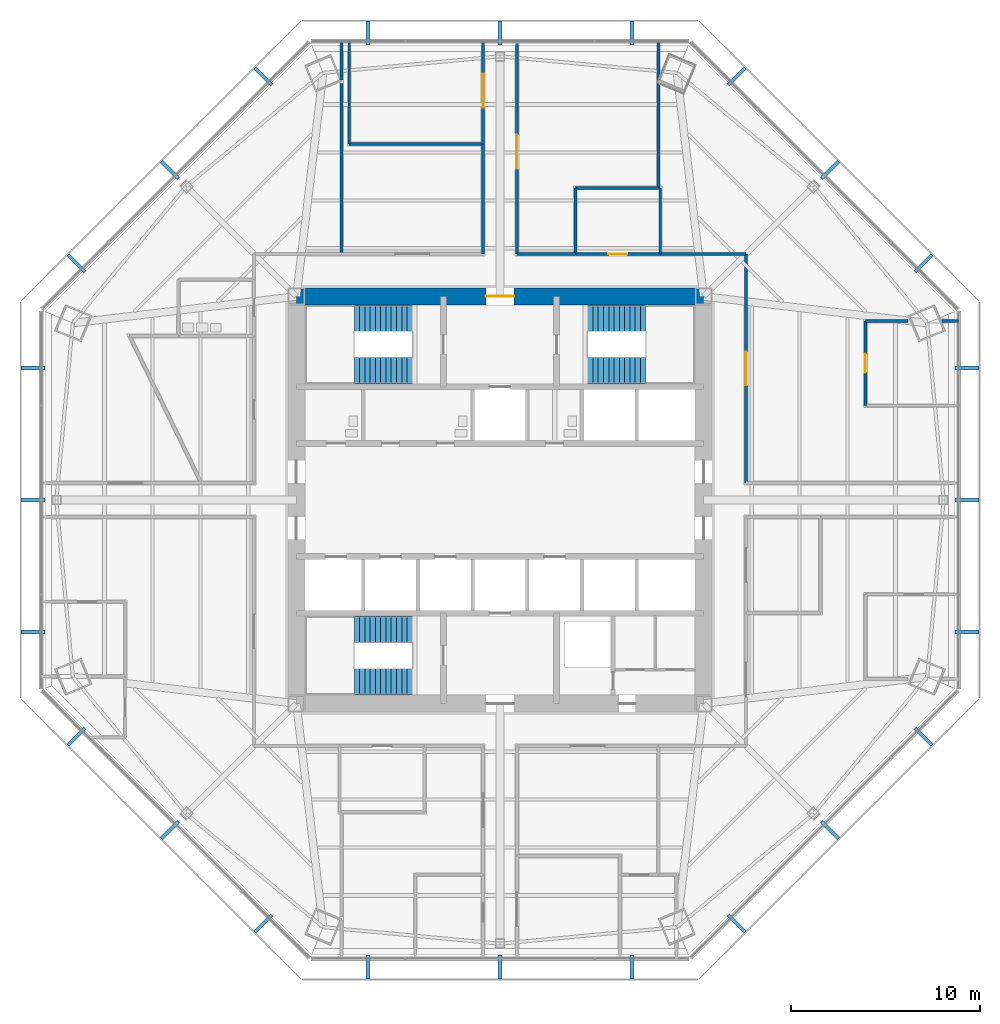
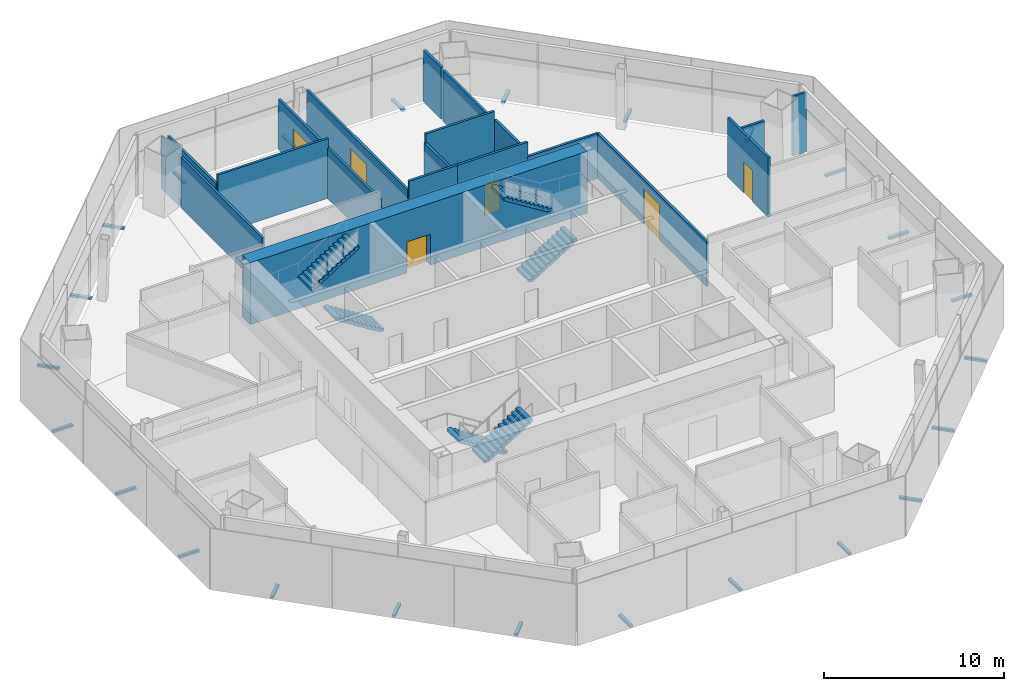
# One storey, part 11 of 14: 24 discrete accessories, 20 walls, 6 doors, 6 stair flights, 6 openings, 3 elements without a shape of their own.
"""IFC4 building model written with IfcOpenShell, lengths in metres."""

from ifc_helpers import new_model, si_unit, direction, frame, frame_2d, origin, origin_2d, place, context, subcontext, project, spatial, polyline, rectangle, outline, extrude, source, transform, mapped, material, layer, layer_set, type_object, type_shapes, element, fill, aggregate, save


model = new_model("IFC4")

# Units and contexts
model_context = context("Model", 3, precision=1e-05, world=origin(), true_north=direction((0.0, 1.0)))
body_context = subcontext(model_context, "Body", "Model", "MODEL_VIEW")
ifc_project = project(units=[si_unit("LENGTHUNIT", "METRE"), si_unit("AREAUNIT", "SQUARE_METRE"), si_unit("VOLUMEUNIT", "CUBIC_METRE"), si_unit("PLANEANGLEUNIT", "RADIAN"), si_unit("MASSUNIT", "GRAM", prefix="KILO")], contexts=[model_context])

# Site, building, storey
site_placement = place(None, origin())
site = spatial("IfcSite", under=ifc_project, at=site_placement, CompositionType="ELEMENT")
building_placement = place(site_placement, origin())
building = spatial("IfcBuilding", under=site, at=building_placement, Name="Mashrafa Tower", CompositionType="ELEMENT")
storey_placement = place(building_placement, frame((0.0, 0.0, 130.199951171875)))
storey = spatial("IfcBuildingStorey", under=building, at=storey_placement, Name="L29", CompositionType="ELEMENT", Elevation=130.199951171875)

# Wall, opening, door
ifc_material_1 = material(Name="Concrete C60/75", Category="concrete")
ifc_layer_1 = layer(ifc_material_1, 0.89990234375)
ifc_layer_set_1 = layer_set([ifc_layer_1], Name="Core wall 900 C60/75")
wall_type_1 = type_object("IfcWallType", Name="Core wall 900 C60/75", PredefinedType="SOLIDWALL", material=ifc_layer_set_1)
wall_1_placement = place(storey_placement, frame((10.800048828125, 10.800048828125, 0.0), z_axis=(0.0, 0.0, 1.0), x_axis=(-1.0, 0.0, 0.0)))
wall_1 = element("IfcWall", 1, at=wall_1_placement, inside=storey, type_object=wall_type_1, Name="Core wall CW-N L29", PredefinedType="SOLIDWALL", context=body_context, shape_type="SweptSolid", body=[
    extrude(rectangle(XDim=21.60009765625, YDim=0.89990234375, at=frame_2d((10.800048828125, 0.0))), origin(), (0.0, 0.0, 1.0), 4.199951171875),
])
opening_1_placement = place(wall_1_placement, frame((10.050048828125, 0.0, 0.0)))
opening_1 = element("IfcOpeningElement", 2, at=opening_1_placement, cuts=wall_1, Name="Opening 29.026", PredefinedType="OPENING", context=body_context, shape_type="SweptSolid", body=[
    extrude(rectangle(XDim=1.5, YDim=2.10009765625, at=frame_2d((0.75, 1.050048828125))), frame((0.0, 0.4599609375, 0.0), z_axis=(0.0, -1.0, 0.0), x_axis=(1.0, 0.0, 0.0)), (0.0, 0.0, 1.0), 0.919921875),
])
ifc_material_2 = material(Name="Steel door", Category="steel")
door_type_1 = type_object("IfcDoorType", Name="Lobby door pair 1500 x 2100 90 min", OperationType="DOUBLE_DOOR_SINGLE_SWING", PredefinedType="DOOR", material=ifc_material_2)
door_1_placement = place(opening_1_placement, origin())
door_1 = element("IfcDoor", 3, at=door_1_placement, inside=storey, type_object=door_type_1, Name="Fire-fighting lobby F1 door L29", OperationType="DOUBLE_DOOR_SINGLE_SWING", OverallHeight=2.10009765625, OverallWidth=1.5, PredefinedType="DOOR", context=body_context, shape_type="SweptSolid", body=[
    extrude(rectangle(XDim=1.5, YDim=2.10009765625, at=frame_2d((0.75, 1.050048828125))), frame((0.0, 0.02490234375, 0.0), z_axis=(0.0, -1.0, 0.0), x_axis=(1.0, 0.0, 0.0)), (0.0, 0.0, 1.0), 0.050048828125),
])
fill(opening_1, door_1)

ifc_material_3 = material(Name="Gypsum board on steel studs", Category="steel")
ifc_layer_2 = layer(ifc_material_3, 0.14990234375)
ifc_layer_set_2 = layer_set([ifc_layer_2], Name="Corridor partition 150 1 hr")
wall_type_2 = type_object("IfcWallType", Name="Corridor partition 150 1 hr", PredefinedType="PARTITIONING", material=ifc_layer_set_2)
wall_2_placement = place(storey_placement, frame((-0.89990234375, 24.3154296875, 0.0), z_axis=(0.0, 0.0, 1.0), x_axis=(0.0, -1.0, 0.0)))
wall_2 = element("IfcWall", 4, at=wall_2_placement, inside=storey, type_object=wall_type_2, Name="Corridor wall L29-004", PredefinedType="PARTITIONING", context=body_context, shape_type="SweptSolid", body=[
    extrude(rectangle(XDim=5.434814453125, YDim=0.14990234375, at=frame_2d((2.71728515625, 0.0))), origin(), (0.0, 0.0, 1.0), 3.425537109375),
])
opening_2_placement = place(wall_2_placement, frame((1.699462890625, 0.0, 0.0)))
opening_2 = element("IfcOpeningElement", 5, at=opening_2_placement, cuts=wall_2, Name="Opening 29.003", PredefinedType="OPENING", context=body_context, shape_type="SweptSolid", body=[
    extrude(rectangle(XDim=1.800048828125, YDim=2.39990234375, at=frame_2d((0.89990234375, 1.199951171875))), frame((0.0, 0.0849609375, 0.0), z_axis=(0.0, -1.0, 0.0), x_axis=(1.0, 0.0, 0.0)), (0.0, 0.0, 1.0), 0.169921875),
])
ifc_material_4 = material(Name="Timber door", Category="wood")
door_type_2 = type_object("IfcDoorType", Name="Door pair 1800 x 2400", OperationType="DOUBLE_DOOR_SINGLE_SWING", PredefinedType="DOOR", material=ifc_material_4)
door_2_placement = place(opening_2_placement, frame((1.800048828125, 0.0, 0.0), z_axis=(0.0, 0.0, 1.0), x_axis=(-1.0, 0.0, 0.0)))
door_2 = element("IfcDoor", 6, at=door_2_placement, inside=storey, type_object=door_type_2, Name="Board Room 29-N door", OperationType="DOUBLE_DOOR_SINGLE_SWING", OverallHeight=2.39990234375, OverallWidth=1.800048828125, PredefinedType="DOOR", context=body_context, shape_type="SweptSolid", body=[
    extrude(rectangle(XDim=1.800048828125, YDim=2.39990234375, at=frame_2d((0.89990234375, 1.199951171875))), frame((0.0, 0.02490234375, 0.0), z_axis=(0.0, -1.0, 0.0), x_axis=(1.0, 0.0, 0.0)), (0.0, 0.0, 1.0), 0.050048828125),
])
fill(opening_2, door_2)

wall_3_placement = place(storey_placement, frame((8.5009765625, 13.050048828125, 0.0), z_axis=(0.0, 0.0, 1.0), x_axis=(-1.0, 0.0, 0.0)))
wall_3 = element("IfcWall", 7, at=wall_3_placement, inside=storey, type_object=wall_type_2, Name="Corridor wall L29-005", PredefinedType="PARTITIONING", context=body_context, shape_type="SweptSolid", body=[
    extrude(rectangle(XDim=4.501953125, YDim=0.14990234375, at=frame_2d((2.2509765625, 0.0))), origin(), (0.0, 0.0, 1.0), 4.03515625),
])
opening_3_placement = place(wall_3_placement, frame((1.7509765625, 0.0, 0.0)))
opening_3 = element("IfcOpeningElement", 8, at=opening_3_placement, cuts=wall_3, Name="Opening 29.004", PredefinedType="OPENING", context=body_context, shape_type="SweptSolid", body=[
    extrude(rectangle(XDim=1.0, YDim=2.10009765625, at=frame_2d((0.5, 1.050048828125))), frame((0.0, 0.0849609375, 0.0), z_axis=(0.0, -1.0, 0.0), x_axis=(1.0, 0.0, 0.0)), (0.0, 0.0, 1.0), 0.169921875),
])
ifc_material_5 = material(Name="Timber door", Category="wood")
door_type_3 = type_object("IfcDoorType", Name="Door 1000 x 2100", OperationType="USERDEFINED", PredefinedType="DOOR", material=ifc_material_5)
door_3_placement = place(opening_3_placement, frame((1.0, 0.0, 0.0), z_axis=(0.0, 0.0, 1.0), x_axis=(-1.0, 0.0, 0.0)))
door_3 = element("IfcDoor", 9, at=door_3_placement, inside=storey, type_object=door_type_3, Name="Pantry 29-N door", OperationType="SINGLE_SWING_RIGHT", OverallHeight=2.10009765625, OverallWidth=1.0, PredefinedType="DOOR", context=body_context, shape_type="SweptSolid", body=[
    extrude(rectangle(XDim=1.0, YDim=2.10009765625, at=frame_2d((0.5, 1.050048828125))), frame((0.0, 0.02490234375, 0.0), z_axis=(0.0, -1.0, 0.0), x_axis=(1.0, 0.0, 0.0)), (0.0, 0.0, 1.0), 0.050048828125),
])
fill(opening_3, door_3)

wall_4_placement = place(storey_placement, frame((13.050048828125, 0.89990234375, 0.0), z_axis=(0.0, 0.0, 1.0), x_axis=(0.0, 1.0, 0.0)))
wall_4 = element("IfcWall", 10, at=wall_4_placement, inside=storey, type_object=wall_type_2, Name="Corridor wall L29-012", PredefinedType="PARTITIONING", context=body_context, shape_type="SweptSolid", body=[
    extrude(rectangle(XDim=12.150146484375, YDim=0.14990234375, at=frame_2d((6.0751953125, 0.0))), origin(), (0.0, 0.0, 1.0), 3.0419921875),
])
opening_4_placement = place(wall_4_placement, frame((5.175048828125, 0.0, 0.0)))
opening_4 = element("IfcOpeningElement", 11, at=opening_4_placement, cuts=wall_4, Name="Opening 29.014", PredefinedType="OPENING", context=body_context, shape_type="SweptSolid", body=[
    extrude(rectangle(XDim=1.800048828125, YDim=2.39990234375, at=frame_2d((0.89990234375, 1.199951171875))), frame((0.0, 0.0849609375, 0.0), z_axis=(0.0, -1.0, 0.0), x_axis=(1.0, 0.0, 0.0)), (0.0, 0.0, 1.0), 0.169921875),
])
door_4_placement = place(opening_4_placement, frame((1.800048828125, 0.0, 0.0), z_axis=(0.0, 0.0, 1.0), x_axis=(-1.0, 0.0, 0.0)))
door_4 = element("IfcDoor", 12, at=door_4_placement, inside=storey, type_object=door_type_2, Name="Office Tenancy 29-N-NE1 door", OperationType="DOUBLE_DOOR_SINGLE_SWING", OverallHeight=2.39990234375, OverallWidth=1.800048828125, PredefinedType="DOOR", context=body_context, shape_type="SweptSolid", body=[
    extrude(rectangle(XDim=1.800048828125, YDim=2.39990234375, at=frame_2d((0.89990234375, 1.199951171875))), frame((0.0, 0.02490234375, 0.0), z_axis=(0.0, -1.0, 0.0), x_axis=(1.0, 0.0, 0.0)), (0.0, 0.0, 1.0), 0.050048828125),
])
fill(opening_4, door_4)

# Walls
wall_5_placement = place(storey_placement, frame((13.050048828125, 13.050048828125, 0.0), z_axis=(0.0, 0.0, 1.0), x_axis=(-1.0, 0.0, 0.0)))
element("IfcWall", 13, at=wall_5_placement, inside=storey, type_object=wall_type_2, Name="Corridor wall L29-013", PredefinedType="PARTITIONING", context=body_context, shape_type="SweptSolid", body=[
    extrude(rectangle(XDim=4.551025390625, YDim=0.14990234375, at=frame_2d((2.275390625, 0.0))), origin(), (0.0, 0.0, 1.0), 3.0419921875),
])
wall_6_placement = place(storey_placement, frame((4.0009765625, 13.050048828125, 0.0), z_axis=(0.0, 0.0, 1.0), x_axis=(-1.0, 0.0, 0.0)))
element("IfcWall", 14, at=wall_6_placement, inside=storey, type_object=wall_type_2, Name="Corridor wall L29-014", PredefinedType="PARTITIONING", context=body_context, shape_type="SweptSolid", body=[
    extrude(rectangle(XDim=3.10107421875, YDim=0.14990234375, at=frame_2d((1.550537109375, 0.0))), origin(), (0.0, 0.0, 1.0), 4.03515625),
])

# Wall, opening, door
wall_7_placement = place(storey_placement, frame((0.89990234375, 13.050048828125, 0.0), z_axis=(0.0, 0.0, 1.0), x_axis=(0.0, 1.0, 0.0)))
wall_7 = element("IfcWall", 15, at=wall_7_placement, inside=storey, type_object=wall_type_2, Name="Corridor wall L29-015", PredefinedType="PARTITIONING", context=body_context, shape_type="SweptSolid", body=[
    extrude(rectangle(XDim=11.265380859375, YDim=0.14990234375, at=frame_2d((5.6328125, 0.0))), origin(), (0.0, 0.0, 1.0), 3.425537109375),
])
opening_5_placement = place(wall_7_placement, frame((4.515869140625, 0.0, 0.0)))
opening_5 = element("IfcOpeningElement", 16, at=opening_5_placement, cuts=wall_7, Name="Opening 29.015", PredefinedType="OPENING", context=body_context, shape_type="SweptSolid", body=[
    extrude(rectangle(XDim=1.800048828125, YDim=2.39990234375, at=frame_2d((0.89990234375, 1.199951171875))), frame((0.0, 0.0849609375, 0.0), z_axis=(0.0, -1.0, 0.0), x_axis=(1.0, 0.0, 0.0)), (0.0, 0.0, 1.0), 0.169921875),
])
door_5_placement = place(opening_5_placement, frame((1.800048828125, 0.0, 0.0), z_axis=(0.0, 0.0, 1.0), x_axis=(-1.0, 0.0, 0.0)))
door_5 = element("IfcDoor", 17, at=door_5_placement, inside=storey, type_object=door_type_2, Name="Office Tenancy 29-N-NE2 door", OperationType="DOUBLE_DOOR_SINGLE_SWING", OverallHeight=2.39990234375, OverallWidth=1.800048828125, PredefinedType="DOOR", context=body_context, shape_type="SweptSolid", body=[
    extrude(rectangle(XDim=1.800048828125, YDim=2.39990234375, at=frame_2d((0.89990234375, 1.199951171875))), frame((0.0, 0.02490234375, 0.0), z_axis=(0.0, -1.0, 0.0), x_axis=(1.0, 0.0, 0.0)), (0.0, 0.0, 1.0), 0.050048828125),
])
fill(opening_5, door_5)

# Walls
wall_8_placement = place(storey_placement, frame((-0.89990234375, 18.882568359375, 0.0), z_axis=(0.0, 0.0, 1.0), x_axis=(0.0, -1.0, 0.0)))
element("IfcWall", 18, at=wall_8_placement, inside=storey, type_object=wall_type_2, Name="Corridor wall L29-019", PredefinedType="PARTITIONING", context=body_context, shape_type="SweptSolid", body=[
    extrude(rectangle(XDim=5.83251953125, YDim=0.14990234375, at=frame_2d((2.916259765625, 0.0))), origin(), (0.0, 0.0, 1.0), 3.425537109375),
])
ifc_material_6 = material(Name="Gypsum board on steel studs", Category="steel")
ifc_layer_3 = layer(ifc_material_6, 0.14990234375)
ifc_layer_set_3 = layer_set([ifc_layer_3], Name="Partition 150")
wall_type_3 = type_object("IfcWallType", Name="Partition 150", PredefinedType="PARTITIONING", material=ifc_layer_set_3)
wall_9_placement = place(storey_placement, frame((-8.0, 24.3134765625, 0.0), z_axis=(0.0, 0.0, 1.0), x_axis=(0.0, -1.0, 0.0)))
element("IfcWall", 19, at=wall_9_placement, inside=storey, type_object=wall_type_3, Name="Partition wall L29-036", PredefinedType="PARTITIONING", context=body_context, shape_type="SweptSolid", body=[
    extrude(rectangle(XDim=5.431884765625, YDim=0.14990234375, at=frame_2d((2.7158203125, 0.0))), origin(), (0.0, 0.0, 1.0), 3.425537109375),
])
wall_10_placement = place(storey_placement, frame((-8.0, 18.881591796875, 0.0), z_axis=(0.0, 0.0, 1.0), x_axis=(1.0, 0.0, 0.0)))
element("IfcWall", 20, at=wall_10_placement, inside=storey, type_object=wall_type_3, Name="Partition wall L29-037", PredefinedType="PARTITIONING", context=body_context, shape_type="SweptSolid", body=[
    extrude(rectangle(XDim=7.10009765625, YDim=0.14990234375, at=frame_2d((3.550048828125, 0.0))), origin(), (0.0, 0.0, 1.0), 4.03515625),
])
wall_11_placement = place(storey_placement, frame((8.5, 13.050048828125, 0.0), z_axis=(0.0, 0.0, 1.0), x_axis=(0.0, 1.0, 0.0)))
element("IfcWall", 21, at=wall_11_placement, inside=storey, type_object=wall_type_3, Name="Partition wall L29-038", PredefinedType="PARTITIONING", context=body_context, shape_type="SweptSolid", body=[
    extrude(rectangle(XDim=3.5, YDim=0.14990234375, at=frame_2d((1.75, 0.0))), origin(), (0.0, 0.0, 1.0), 3.425537109375),
])
wall_12_placement = place(storey_placement, frame((8.40087890625, 16.550048828125, 0.0), z_axis=(0.0, 0.0, 1.0), x_axis=(-1.0, 0.0, 0.0)))
element("IfcWall", 22, at=wall_12_placement, inside=storey, type_object=wall_type_3, Name="Partition wall L29-039", PredefinedType="PARTITIONING", context=body_context, shape_type="SweptSolid", body=[
    extrude(rectangle(XDim=4.40087890625, YDim=0.14990234375, at=frame_2d((2.200439453125, 0.0))), origin(), (0.0, 0.0, 1.0), 4.03515625),
])
wall_13_placement = place(storey_placement, frame((4.0, 16.550048828125, 0.0), z_axis=(0.0, 0.0, 1.0), x_axis=(0.0, -1.0, 0.0)))
element("IfcWall", 23, at=wall_13_placement, inside=storey, type_object=wall_type_3, Name="Partition wall L29-040", PredefinedType="PARTITIONING", context=body_context, shape_type="SweptSolid", body=[
    extrude(rectangle(XDim=3.5, YDim=0.14990234375, at=frame_2d((1.75, 0.0))), origin(), (0.0, 0.0, 1.0), 3.425537109375),
])
wall_14_placement = place(storey_placement, frame((24.3134765625, 9.5, 0.0), z_axis=(0.0, 0.0, 1.0), x_axis=(-1.0, 0.0, 0.0)))
element("IfcWall", 24, at=wall_14_placement, inside=storey, type_object=wall_type_3, Name="Partition wall L29-046", PredefinedType="PARTITIONING", context=body_context, shape_type="SweptSolid", body=[
    extrude(rectangle(XDim=0.875732421875, YDim=0.14990234375, at=frame_2d((0.43798828125, 0.0))), origin(), (0.0, 0.0, 1.0), 4.03515625),
])
wall_15_placement = place(storey_placement, frame((21.633056640625, 9.5, 0.0), z_axis=(0.0, 0.0, 1.0), x_axis=(-1.0, 0.0, 0.0)))
element("IfcWall", 25, at=wall_15_placement, inside=storey, type_object=wall_type_3, Name="Partition wall L29-047", PredefinedType="PARTITIONING", context=body_context, shape_type="SweptSolid", body=[
    extrude(rectangle(XDim=2.25146484375, YDim=0.14990234375, at=frame_2d((1.125732421875, 0.0))), origin(), (0.0, 0.0, 1.0), 3.0419921875),
])

# Wall, opening, door
wall_16_placement = place(storey_placement, frame((19.381591796875, 9.5, 0.0), z_axis=(0.0, 0.0, 1.0), x_axis=(0.0, -1.0, 0.0)))
wall_16 = element("IfcWall", 26, at=wall_16_placement, inside=storey, type_object=wall_type_3, Name="Partition wall L29-048", PredefinedType="PARTITIONING", context=body_context, shape_type="SweptSolid", body=[
    extrude(rectangle(XDim=4.5, YDim=0.14990234375, at=frame_2d((2.25, 0.0))), origin(), (0.0, 0.0, 1.0), 4.03515625),
])
opening_6_placement = place(wall_16_placement, frame((1.75, 0.0, 0.0)))
opening_6 = element("IfcOpeningElement", 27, at=opening_6_placement, cuts=wall_16, Name="Opening 29.007", PredefinedType="OPENING", context=body_context, shape_type="SweptSolid", body=[
    extrude(rectangle(XDim=1.0, YDim=2.10009765625, at=frame_2d((0.5, 1.050048828125))), frame((0.0, 0.0849609375, 0.0), z_axis=(0.0, -1.0, 0.0), x_axis=(1.0, 0.0, 0.0)), (0.0, 0.0, 1.0), 0.169921875),
])
door_6_placement = place(opening_6_placement, origin())
door_6 = element("IfcDoor", 28, at=door_6_placement, inside=storey, type_object=door_type_3, Name="Meeting Room 29-N-NE1 door", OperationType="SINGLE_SWING_LEFT", OverallHeight=2.10009765625, OverallWidth=1.0, PredefinedType="DOOR", context=body_context, shape_type="SweptSolid", body=[
    extrude(rectangle(XDim=1.0, YDim=2.10009765625, at=frame_2d((0.5, 1.050048828125))), frame((0.0, 0.02490234375, 0.0), z_axis=(0.0, -1.0, 0.0), x_axis=(1.0, 0.0, 0.0)), (0.0, 0.0, 1.0), 0.050048828125),
])
fill(opening_6, door_6)

# Walls
wall_17_placement = place(storey_placement, frame((8.39990234375, 24.3134765625, 0.0), z_axis=(0.0, 0.0, 1.0), x_axis=(0.0, -1.0, 0.0)))
element("IfcWall", 29, at=wall_17_placement, inside=storey, type_object=wall_type_3, Name="Partition wall L29-069", PredefinedType="PARTITIONING", context=body_context, shape_type="SweptSolid", body=[
    extrude(rectangle(XDim=2.024658203125, YDim=0.14990234375, at=frame_2d((1.01220703125, 0.0))), origin(), (0.0, 0.0, 1.0), 3.499267578125),
])
wall_18_placement = place(storey_placement, frame((8.39990234375, 22.088623046875, 0.0), z_axis=(0.0, 0.0, 1.0), x_axis=(0.0, -1.0, 0.0)))
element("IfcWall", 30, at=wall_18_placement, inside=storey, type_object=wall_type_3, Name="Partition wall L29-070", PredefinedType="PARTITIONING", context=body_context, shape_type="SweptSolid", body=[
    extrude(rectangle(XDim=5.53857421875, YDim=0.14990234375, at=frame_2d((2.769287109375, 0.0))), origin(), (0.0, 0.0, 1.0), 3.425537109375),
])
wall_19_placement = place(storey_placement, frame((-8.39990234375, 13.050048828125, 0.0), z_axis=(0.0, 0.0, 1.0), x_axis=(0.0, 1.0, 0.0)))
element("IfcWall", 31, at=wall_19_placement, inside=storey, type_object=wall_type_3, Name="Partition wall L29-071", PredefinedType="PARTITIONING", context=body_context, shape_type="SweptSolid", body=[
    extrude(rectangle(XDim=9.03857421875, YDim=0.14990234375, at=frame_2d((4.519287109375, 0.0))), origin(), (0.0, 0.0, 1.0), 3.425537109375),
])
wall_20_placement = place(storey_placement, frame((-8.39990234375, 22.288818359375, 0.0), z_axis=(0.0, 0.0, 1.0), x_axis=(0.0, 1.0, 0.0)))
element("IfcWall", 32, at=wall_20_placement, inside=storey, type_object=wall_type_3, Name="Partition wall L29-072", PredefinedType="PARTITIONING", context=body_context, shape_type="SweptSolid", body=[
    extrude(rectangle(XDim=2.024658203125, YDim=0.14990234375, at=frame_2d((1.01220703125, 0.0))), origin(), (0.0, 0.0, 1.0), 3.499267578125),
])

# Stair, stair flights
ifc_material_7 = material(Name="Exit stair 1400")
stair_type = type_object("IfcStairType", Name="Exit stair 1400", PredefinedType="HALF_TURN_STAIR", material=ifc_material_7)
stair_1_placement = place(storey_placement, origin())
stair_1 = element("IfcStair", 33, at=stair_1_placement, inside=storey, type_object=stair_type, Name="Stair S1 L29", PredefinedType="HALF_TURN_STAIR")
ifc_material_8 = material(Name="Concrete C32/40", Category="concrete")
stair_flight_type = type_object("IfcStairFlightType", Name="Stair flight 1400", PredefinedType="STRAIGHT", material=ifc_material_8)
stair_flight_1_placement = place(storey_placement, frame((-4.64990234375, 6.85009765625, 0.0), z_axis=(0.0, 0.0, 1.0), x_axis=(-1.0, 0.0, 0.0)))
stair_flight_1 = element("IfcStairFlight", 34, at=stair_flight_1_placement, type_object=stair_flight_type, Name="S1 flight 1", NumberOfRisers=12, NumberOfTreads=11, PredefinedType="STRAIGHT", RiserHeight=0.175, TreadLength=0.28, context=body_context, shape_type="SweptSolid", body=[
    extrude(outline(polyline([(0.0, 0.0), (0.0, 0.175048828125), (0.280029296875, 0.175048828125), (0.280029296875, 0.35009765625), (0.56005859375, 0.35009765625), (0.56005859375, 0.52490234375), (0.840087890625, 0.52490234375), (0.840087890625, 0.699951171875), (1.1201171875, 0.699951171875), (1.1201171875, 0.875), (1.39990234375, 0.875), (1.39990234375, 1.050048828125), (1.679931640625, 1.050048828125), (1.679931640625, 1.22509765625), (1.9599609375, 1.22509765625), (1.9599609375, 1.39990234375), (2.239990234375, 1.39990234375), (2.239990234375, 1.574951171875), (2.52001953125, 1.574951171875), (2.52001953125, 1.75), (2.800048828125, 1.75), (2.800048828125, 1.925048828125), (3.080078125, 1.925048828125), (3.080078125, 2.10009765625), (3.080078125, 1.748291015625), (0.28271484375, 0.0), (0.0, 0.0)])), frame((0.0, 0.699951171875, 0.0), z_axis=(0.0, -1.0, 0.0), x_axis=(1.0, 0.0, 0.0)), (0.0, 0.0, 1.0), 1.39990234375),
])
stair_flight_2_placement = place(storey_placement, frame((-7.72998046875, 9.64990234375, 2.10009765625), z_axis=(0.0, 0.0, 1.0), x_axis=(1.0, 0.0, 0.0)))
stair_flight_2 = element("IfcStairFlight", 35, at=stair_flight_2_placement, type_object=stair_flight_type, Name="S1 flight 2", NumberOfRisers=12, NumberOfTreads=11, PredefinedType="STRAIGHT", RiserHeight=0.175, TreadLength=0.28, context=body_context, shape_type="SweptSolid", body=[
    extrude(outline(polyline([(0.0, 0.0), (0.0, 0.175048828125), (0.280029296875, 0.175048828125), (0.280029296875, 0.35009765625), (0.56005859375, 0.35009765625), (0.56005859375, 0.52490234375), (0.840087890625, 0.52490234375), (0.840087890625, 0.699951171875), (1.1201171875, 0.699951171875), (1.1201171875, 0.875), (1.39990234375, 0.875), (1.39990234375, 1.050048828125), (1.679931640625, 1.050048828125), (1.679931640625, 1.22509765625), (1.9599609375, 1.22509765625), (1.9599609375, 1.39990234375), (2.239990234375, 1.39990234375), (2.239990234375, 1.574951171875), (2.52001953125, 1.574951171875), (2.52001953125, 1.75), (2.800048828125, 1.75), (2.800048828125, 1.925048828125), (3.080078125, 1.925048828125), (3.080078125, 2.10009765625), (3.080078125, 1.748291015625), (0.28271484375, 0.0), (0.0, 0.0)])), frame((0.0, 0.699951171875, 0.0), z_axis=(0.0, -1.0, 0.0), x_axis=(1.0, 0.0, 0.0)), (0.0, 0.0, 1.0), 1.39990234375),
])
aggregate(stair_1, [stair_flight_1, stair_flight_2])

stair_2_placement = place(storey_placement, origin())
stair_2 = element("IfcStair", 36, at=stair_2_placement, inside=storey, type_object=stair_type, Name="Stair S2 L29", PredefinedType="HALF_TURN_STAIR")
stair_flight_3_placement = place(storey_placement, frame((4.64990234375, 6.85009765625, 0.0), z_axis=(0.0, 0.0, 1.0), x_axis=(1.0, 0.0, 0.0)))
stair_flight_3 = element("IfcStairFlight", 37, at=stair_flight_3_placement, type_object=stair_flight_type, Name="S2 flight 1", NumberOfRisers=12, NumberOfTreads=11, PredefinedType="STRAIGHT", RiserHeight=0.175, TreadLength=0.28, context=body_context, shape_type="SweptSolid", body=[
    extrude(outline(polyline([(0.0, 0.0), (0.0, 0.175048828125), (0.280029296875, 0.175048828125), (0.280029296875, 0.35009765625), (0.56005859375, 0.35009765625), (0.56005859375, 0.52490234375), (0.840087890625, 0.52490234375), (0.840087890625, 0.699951171875), (1.1201171875, 0.699951171875), (1.1201171875, 0.875), (1.39990234375, 0.875), (1.39990234375, 1.050048828125), (1.679931640625, 1.050048828125), (1.679931640625, 1.22509765625), (1.9599609375, 1.22509765625), (1.9599609375, 1.39990234375), (2.239990234375, 1.39990234375), (2.239990234375, 1.574951171875), (2.52001953125, 1.574951171875), (2.52001953125, 1.75), (2.800048828125, 1.75), (2.800048828125, 1.925048828125), (3.080078125, 1.925048828125), (3.080078125, 2.10009765625), (3.080078125, 1.748291015625), (0.28271484375, 0.0), (0.0, 0.0)])), frame((0.0, 0.699951171875, 0.0), z_axis=(0.0, -1.0, 0.0), x_axis=(1.0, 0.0, 0.0)), (0.0, 0.0, 1.0), 1.39990234375),
])
stair_flight_4_placement = place(storey_placement, frame((7.72998046875, 9.64990234375, 2.10009765625), z_axis=(0.0, 0.0, 1.0), x_axis=(-1.0, 0.0, 0.0)))
stair_flight_4 = element("IfcStairFlight", 38, at=stair_flight_4_placement, type_object=stair_flight_type, Name="S2 flight 2", NumberOfRisers=12, NumberOfTreads=11, PredefinedType="STRAIGHT", RiserHeight=0.175, TreadLength=0.28, context=body_context, shape_type="SweptSolid", body=[
    extrude(outline(polyline([(0.0, 0.0), (0.0, 0.175048828125), (0.280029296875, 0.175048828125), (0.280029296875, 0.35009765625), (0.56005859375, 0.35009765625), (0.56005859375, 0.52490234375), (0.840087890625, 0.52490234375), (0.840087890625, 0.699951171875), (1.1201171875, 0.699951171875), (1.1201171875, 0.875), (1.39990234375, 0.875), (1.39990234375, 1.050048828125), (1.679931640625, 1.050048828125), (1.679931640625, 1.22509765625), (1.9599609375, 1.22509765625), (1.9599609375, 1.39990234375), (2.239990234375, 1.39990234375), (2.239990234375, 1.574951171875), (2.52001953125, 1.574951171875), (2.52001953125, 1.75), (2.800048828125, 1.75), (2.800048828125, 1.925048828125), (3.080078125, 1.925048828125), (3.080078125, 2.10009765625), (3.080078125, 1.748291015625), (0.28271484375, 0.0), (0.0, 0.0)])), frame((0.0, 0.699951171875, 0.0), z_axis=(0.0, -1.0, 0.0), x_axis=(1.0, 0.0, 0.0)), (0.0, 0.0, 1.0), 1.39990234375),
])
aggregate(stair_2, [stair_flight_3, stair_flight_4])

stair_3_placement = place(storey_placement, origin())
stair_3 = element("IfcStair", 39, at=stair_3_placement, inside=storey, type_object=stair_type, Name="Stair S3 L29", PredefinedType="HALF_TURN_STAIR")
stair_flight_5_placement = place(storey_placement, frame((-4.64990234375, -6.85009765625, 0.0), z_axis=(0.0, 0.0, 1.0), x_axis=(-1.0, 0.0, 0.0)))
stair_flight_5 = element("IfcStairFlight", 40, at=stair_flight_5_placement, type_object=stair_flight_type, Name="S3 flight 1", NumberOfRisers=12, NumberOfTreads=11, PredefinedType="STRAIGHT", RiserHeight=0.175, TreadLength=0.28, context=body_context, shape_type="SweptSolid", body=[
    extrude(outline(polyline([(0.0, 0.0), (0.0, 0.175048828125), (0.280029296875, 0.175048828125), (0.280029296875, 0.35009765625), (0.56005859375, 0.35009765625), (0.56005859375, 0.52490234375), (0.840087890625, 0.52490234375), (0.840087890625, 0.699951171875), (1.1201171875, 0.699951171875), (1.1201171875, 0.875), (1.39990234375, 0.875), (1.39990234375, 1.050048828125), (1.679931640625, 1.050048828125), (1.679931640625, 1.22509765625), (1.9599609375, 1.22509765625), (1.9599609375, 1.39990234375), (2.239990234375, 1.39990234375), (2.239990234375, 1.574951171875), (2.52001953125, 1.574951171875), (2.52001953125, 1.75), (2.800048828125, 1.75), (2.800048828125, 1.925048828125), (3.080078125, 1.925048828125), (3.080078125, 2.10009765625), (3.080078125, 1.748291015625), (0.28271484375, 0.0), (0.0, 0.0)])), frame((0.0, 0.699951171875, 0.0), z_axis=(0.0, -1.0, 0.0), x_axis=(1.0, 0.0, 0.0)), (0.0, 0.0, 1.0), 1.39990234375),
])
stair_flight_6_placement = place(storey_placement, frame((-7.72998046875, -9.64990234375, 2.10009765625), z_axis=(0.0, 0.0, 1.0), x_axis=(1.0, 0.0, 0.0)))
stair_flight_6 = element("IfcStairFlight", 41, at=stair_flight_6_placement, type_object=stair_flight_type, Name="S3 flight 2", NumberOfRisers=12, NumberOfTreads=11, PredefinedType="STRAIGHT", RiserHeight=0.175, TreadLength=0.28, context=body_context, shape_type="SweptSolid", body=[
    extrude(outline(polyline([(0.0, 0.0), (0.0, 0.175048828125), (0.280029296875, 0.175048828125), (0.280029296875, 0.35009765625), (0.56005859375, 0.35009765625), (0.56005859375, 0.52490234375), (0.840087890625, 0.52490234375), (0.840087890625, 0.699951171875), (1.1201171875, 0.699951171875), (1.1201171875, 0.875), (1.39990234375, 0.875), (1.39990234375, 1.050048828125), (1.679931640625, 1.050048828125), (1.679931640625, 1.22509765625), (1.9599609375, 1.22509765625), (1.9599609375, 1.39990234375), (2.239990234375, 1.39990234375), (2.239990234375, 1.574951171875), (2.52001953125, 1.574951171875), (2.52001953125, 1.75), (2.800048828125, 1.75), (2.800048828125, 1.925048828125), (3.080078125, 1.925048828125), (3.080078125, 2.10009765625), (3.080078125, 1.748291015625), (0.28271484375, 0.0), (0.0, 0.0)])), frame((0.0, 0.699951171875, 0.0), z_axis=(0.0, -1.0, 0.0), x_axis=(1.0, 0.0, 0.0)), (0.0, 0.0, 1.0), 1.39990234375),
])
aggregate(stair_3, [stair_flight_5, stair_flight_6])

# Discrete accessories
ifc_material_9 = material(Name="Stainless steel screen bracket", Category="steel")
discrete_accessory_type = type_object("IfcDiscreteAccessoryType", Name="Screen support bracket 200 x 150", PredefinedType="BRACKET", material=ifc_material_9)
shared_shape = source(origin(), body_context, "Body", "SweptSolid", [
    extrude(rectangle(XDim=0.199951171875, YDim=1.27001953125, at=origin_2d()), origin(), (0.0, 0.0, 1.0), 0.14990234375),
])
type_shapes(discrete_accessory_type, [shared_shape])
for number, where, z_axis, x_axis, name in (
    (42, (24.7666015625, -7.0078125, -0.14990234375), (0.0, 0.0, 1.0), (0.0, 1.0, 0.0), "Screen support bracket L29 east 1"),
    (43, (24.7666015625, 0.0, -0.14990234375), (0.0, 0.0, 1.0), (0.0, 1.0, 0.0), "Screen support bracket L29 east 2"),
    (44, (24.7666015625, 7.0078125, -0.14990234375), (0.0, 0.0, 1.0), (0.0, 1.0, 0.0), "Screen support bracket L29 east 3"),
    (45, (22.4677734375, 12.557373046875, -0.14990234375), (0.0, 0.0, 1.0), (-0.707106781187, 0.707106781187, 0.0), "Screen support bracket L29 north-east 1"),
    (46, (17.5126953125, 17.5126953125, -0.14990234375), (0.0, 0.0, 1.0), (-0.707106781187, 0.707106781187, 0.0), "Screen support bracket L29 north-east 2"),
    (47, (12.557373046875, 22.4677734375, -0.14990234375), (0.0, 0.0, 1.0), (-0.707106781187, 0.707106781187, 0.0), "Screen support bracket L29 north-east 3"),
    (48, (7.0078125, 24.7666015625, -0.14990234375), (0.0, 0.0, 1.0), (-1.0, 0.0, 0.0), "Screen support bracket L29 north 1"),
    (49, (0.0, 24.7666015625, -0.14990234375), (0.0, 0.0, 1.0), (-1.0, 0.0, 0.0), "Screen support bracket L29 north 2"),
    (50, (-7.0078125, 24.7666015625, -0.14990234375), (0.0, 0.0, 1.0), (-1.0, 0.0, 0.0), "Screen support bracket L29 north 3"),
    (51, (-12.557373046875, 22.4677734375, -0.14990234375), (0.0, 0.0, 1.0), (-0.707106781187, -0.707106781187, 0.0), "Screen support bracket L29 north-west 1"),
    (52, (-17.5126953125, 17.5126953125, -0.14990234375), (0.0, 0.0, 1.0), (-0.707106781187, -0.707106781187, 0.0), "Screen support bracket L29 north-west 2"),
    (53, (-22.4677734375, 12.557373046875, -0.14990234375), (0.0, 0.0, 1.0), (-0.707106781187, -0.707106781187, 0.0), "Screen support bracket L29 north-west 3"),
    (54, (-24.7666015625, 7.0078125, -0.14990234375), (0.0, 0.0, 1.0), (0.0, -1.0, 0.0), "Screen support bracket L29 west 1"),
    (55, (-24.7666015625, 0.0, -0.14990234375), (0.0, 0.0, 1.0), (0.0, -1.0, 0.0), "Screen support bracket L29 west 2"),
    (56, (-24.7666015625, -7.0078125, -0.14990234375), (0.0, 0.0, 1.0), (0.0, -1.0, 0.0), "Screen support bracket L29 west 3"),
    (57, (-22.4677734375, -12.557373046875, -0.14990234375), (0.0, 0.0, 1.0), (0.707106781187, -0.707106781187, 0.0), "Screen support bracket L29 south-west 1"),
    (58, (-17.5126953125, -17.5126953125, -0.14990234375), (0.0, 0.0, 1.0), (0.707106781187, -0.707106781187, 0.0), "Screen support bracket L29 south-west 2"),
    (59, (-12.557373046875, -22.4677734375, -0.14990234375), (0.0, 0.0, 1.0), (0.707106781187, -0.707106781187, 0.0), "Screen support bracket L29 south-west 3"),
    (60, (-7.0078125, -24.7666015625, -0.14990234375), (0.0, 0.0, 1.0), (1.0, 0.0, 0.0), "Screen support bracket L29 south 1"),
    (61, (0.0, -24.7666015625, -0.14990234375), (0.0, 0.0, 1.0), (1.0, 0.0, 0.0), "Screen support bracket L29 south 2"),
    (62, (7.0078125, -24.7666015625, -0.14990234375), (0.0, 0.0, 1.0), (1.0, 0.0, 0.0), "Screen support bracket L29 south 3"),
    (63, (12.557373046875, -22.4677734375, -0.14990234375), (0.0, 0.0, 1.0), (0.707106781187, 0.707106781187, 0.0), "Screen support bracket L29 south-east 1"),
    (64, (17.5126953125, -17.5126953125, -0.14990234375), (0.0, 0.0, 1.0), (0.707106781187, 0.707106781187, 0.0), "Screen support bracket L29 south-east 2"),
    (65, (22.4677734375, -12.557373046875, -0.14990234375), (0.0, 0.0, 1.0), (0.707106781187, 0.707106781187, 0.0), "Screen support bracket L29 south-east 3"),
):
    element("IfcDiscreteAccessory", number, at=place(storey_placement, frame(where, z_axis=z_axis, x_axis=x_axis)), inside=storey, type_object=discrete_accessory_type, Name=name, PredefinedType="BRACKET", context=body_context, shape_type="MappedRepresentation", body=[
        mapped(shared_shape, transform((0.0, 0.0, 0.0))),
    ])

save(model, "model.ifc")
